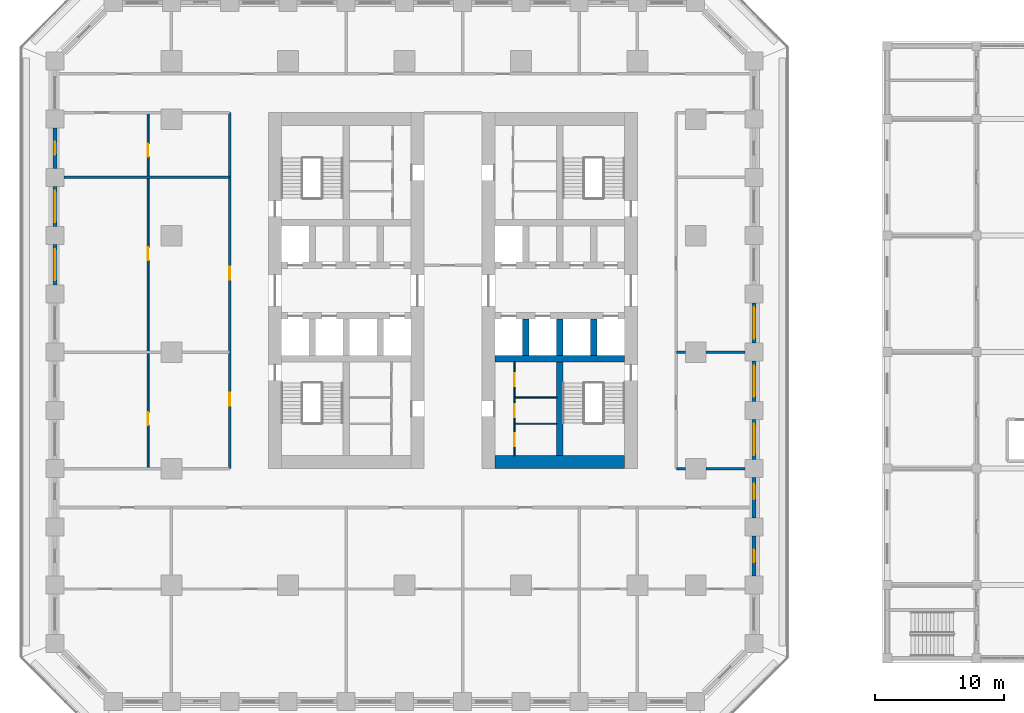
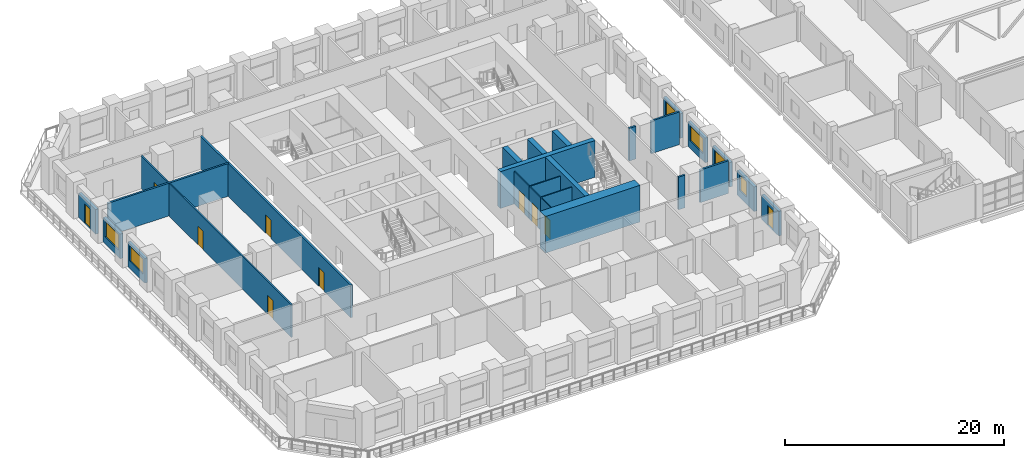
# One storey, part 27 of 42: 26 walls, 10 doors, 6 windows, 16 openings.
"""IFC4 building model written with IfcOpenShell, lengths in metres."""

from ifc_helpers import new_model, si_unit, direction, frame, frame_2d, origin, place, context, subcontext, project, spatial, rectangle, extrude, material, layer, layer_set, type_object, element, fill, save


model = new_model("IFC4")

# Units and contexts
model_context = context("Model", 3, precision=1e-05, world=origin(), true_north=direction((0.0, 1.0)))
body_context = subcontext(model_context, "Body", "Model", "MODEL_VIEW")
ifc_project = project(units=[si_unit("LENGTHUNIT", "METRE"), si_unit("AREAUNIT", "SQUARE_METRE"), si_unit("VOLUMEUNIT", "CUBIC_METRE"), si_unit("PLANEANGLEUNIT", "RADIAN"), si_unit("MASSUNIT", "GRAM", prefix="KILO")], contexts=[model_context])

# Site, building, storey
site_placement = place(None, origin())
site = spatial("IfcSite", under=ifc_project, at=site_placement, CompositionType="ELEMENT")
building_placement = place(site_placement, origin())
building = spatial("IfcBuilding", under=site, at=building_placement, Name="Corbel Stack Research Tower", CompositionType="ELEMENT")
storey_placement = place(building_placement, frame((0.0, 0.0, 11.300048828125)))
storey = spatial("IfcBuildingStorey", under=building, at=storey_placement, Name="L02", CompositionType="ELEMENT", Elevation=11.300048828125)

# Walls
ifc_material_1 = material(Name="Concrete C70/85", Category="concrete")
ifc_layer_1 = layer(ifc_material_1, 1.0)
ifc_layer_set_1 = layer_set([ifc_layer_1], Name="Concrete C70/85")
wall_type_1 = type_object("IfcWallType", Name="CW-1000-70", PredefinedType="SHEAR", material=ifc_layer_set_1)
wall_1_placement = place(storey_placement, frame((7.0, -8.5, 0.0), z_axis=(0.0, 0.0, 1.0), x_axis=(1.0, 0.0, 0.0)))
element("IfcWall", 1, at=wall_1_placement, inside=storey, type_object=wall_type_1, Name="East core wall, south end L02", PredefinedType="SHEAR", context=body_context, shape_type="SweptSolid", body=[
    extrude(rectangle(XDim=10.0, YDim=1.0, at=frame_2d((5.0, 0.0))), origin(), (0.0, 0.0, 1.0), 4.099853515625),
])
ifc_material_2 = material(Name="Concrete C70/85", Category="concrete")
ifc_layer_2 = layer(ifc_material_2, 0.5)
ifc_layer_set_2 = layer_set([ifc_layer_2], Name="Concrete C70/85")
wall_type_2 = type_object("IfcWallType", Name="CW-500-70", PredefinedType="SHEAR", material=ifc_layer_set_2)
wall_2_placement = place(storey_placement, frame((7.0, -0.5, 0.0), z_axis=(0.0, 0.0, 1.0), x_axis=(1.0, 0.0, 0.0)))
element("IfcWall", 2, at=wall_2_placement, inside=storey, type_object=wall_type_2, Name="East core wall, south row back L02", PredefinedType="SHEAR", context=body_context, shape_type="SweptSolid", body=[
    extrude(rectangle(XDim=10.0, YDim=0.5, at=frame_2d((5.0, 0.0))), origin(), (0.0, 0.0, 1.0), 4.099853515625),
])
for number, where, z_axis, x_axis, name in (
    (3, (9.375, -0.25, 0.0), (0.0, 0.0, 1.0), (0.0, 1.0, 0.0), "East core wall, south shaft 1 L02"),
    (4, (12.0, -0.25, 0.0), (0.0, 0.0, 1.0), (0.0, 1.0, 0.0), "East core wall, south shaft 2 L02"),
    (5, (14.625, -0.25, 0.0), (0.0, 0.0, 1.0), (0.0, 1.0, 0.0), "East core wall, south shaft 3 L02"),
):
    element("IfcWall", number, at=place(storey_placement, frame(where, z_axis=z_axis, x_axis=x_axis)), inside=storey, type_object=wall_type_2, Name=name, PredefinedType="SHEAR", context=body_context, shape_type="SweptSolid", body=[
        extrude(rectangle(XDim=2.800048828125, YDim=0.5, at=frame_2d((1.39990234375, 0.0))), origin(), (0.0, 0.0, 1.0), 4.099853515625),
    ])
wall_3_placement = place(storey_placement, frame((12.0, -8.0, 0.0), z_axis=(0.0, 0.0, 1.0), x_axis=(0.0, 1.0, 0.0)))
element("IfcWall", 6, at=wall_3_placement, inside=storey, type_object=wall_type_2, Name="East core wall, south stair and WC L02", PredefinedType="SHEAR", context=body_context, shape_type="SweptSolid", body=[
    extrude(rectangle(XDim=7.25, YDim=0.5, at=frame_2d((3.625, 0.0))), origin(), (0.0, 0.0, 1.0), 4.099853515625),
])

# Wall, opening, door
ifc_material_3 = material(Name="Gypsum board")
ifc_layer_3 = layer(ifc_material_3, 0.10009765625)
ifc_layer_set_3 = layer_set([ifc_layer_3], Name="Gypsum board")
wall_type_3 = type_object("IfcWallType", Name="Core partition 100", PredefinedType="PARTITIONING", material=ifc_layer_set_3)
wall_4_placement = place(storey_placement, frame((8.5, -8.0, 0.0), z_axis=(0.0, 0.0, 1.0), x_axis=(0.0, 1.0, 0.0)))
wall_4 = element("IfcWall", 7, at=wall_4_placement, inside=storey, type_object=wall_type_3, Name="Core partition E", PredefinedType="PARTITIONING", context=body_context, shape_type="SweptSolid", body=[
    extrude(rectangle(XDim=2.465087890625, YDim=0.10009765625, at=frame_2d((1.232421875, 0.0))), origin(), (0.0, 0.0, 1.0), 3.64990234375),
])
opening_1_placement = place(wall_4_placement, frame((0.732421875, 0.0, 0.0)))
opening_1 = element("IfcOpeningElement", 8, at=opening_1_placement, cuts=wall_4, Name="Opening CR-E12-W2-1000", PredefinedType="OPENING", context=body_context, shape_type="SweptSolid", body=[
    extrude(rectangle(XDim=1.0, YDim=2.10009765625, at=frame_2d((0.5, 1.050048828125))), frame((0.0, 0.06005859375, 0.0), z_axis=(0.0, -1.0, 0.0), x_axis=(1.0, 0.0, 0.0)), (0.0, 0.0, 1.0), 0.1201171875),
])
ifc_material_4 = material(Name="Painted timber door", Category="wood")
door_type_1 = type_object("IfcDoorType", Name="WC door 1000 x 2100 left hand", OperationType="SINGLE_SWING_LEFT", PredefinedType="DOOR", material=ifc_material_4)
door_1_placement = place(opening_1_placement, origin())
door_1 = element("IfcDoor", 9, at=door_1_placement, inside=storey, type_object=door_type_1, Name="Men's WC door E core", OperationType="SINGLE_SWING_LEFT", OverallHeight=2.10009765625, OverallWidth=1.0, PredefinedType="DOOR", context=body_context, shape_type="SweptSolid", body=[
    extrude(rectangle(XDim=1.0, YDim=2.10009765625, at=frame_2d((0.5, 1.050048828125))), frame((0.0, 0.02490234375, 0.0), z_axis=(0.0, -1.0, 0.0), x_axis=(1.0, 0.0, 0.0)), (0.0, 0.0, 1.0), 0.050048828125),
])
fill(opening_1, door_1)

wall_5_placement = place(storey_placement, frame((8.5, -5.534912109375, 0.0), z_axis=(0.0, 0.0, 1.0), x_axis=(0.0, 1.0, 0.0)))
wall_5 = element("IfcWall", 10, at=wall_5_placement, inside=storey, type_object=wall_type_3, Name="Core partition E", PredefinedType="PARTITIONING", context=body_context, shape_type="SweptSolid", body=[
    extrude(rectangle(XDim=2.030029296875, YDim=0.10009765625, at=frame_2d((1.01513671875, 0.0))), origin(), (0.0, 0.0, 1.0), 3.64990234375),
])
opening_2_placement = place(wall_5_placement, frame((0.514892578125, 0.0, 0.0)))
opening_2 = element("IfcOpeningElement", 11, at=opening_2_placement, cuts=wall_5, Name="Opening CR-E12-W3-1000", PredefinedType="OPENING", context=body_context, shape_type="SweptSolid", body=[
    extrude(rectangle(XDim=1.0, YDim=2.10009765625, at=frame_2d((0.5, 1.050048828125))), frame((0.0, 0.06005859375, 0.0), z_axis=(0.0, -1.0, 0.0), x_axis=(1.0, 0.0, 0.0)), (0.0, 0.0, 1.0), 0.1201171875),
])
ifc_material_5 = material(Name="Painted timber door", Category="wood")
door_type_2 = type_object("IfcDoorType", Name="WC door 1000 x 2100 right hand", OperationType="SINGLE_SWING_RIGHT", PredefinedType="DOOR", material=ifc_material_5)
door_2_placement = place(opening_2_placement, origin())
door_2 = element("IfcDoor", 12, at=door_2_placement, inside=storey, type_object=door_type_2, Name="Accessible WC door E core", OperationType="SINGLE_SWING_RIGHT", OverallHeight=2.10009765625, OverallWidth=1.0, PredefinedType="DOOR", context=body_context, shape_type="SweptSolid", body=[
    extrude(rectangle(XDim=1.0, YDim=2.10009765625, at=frame_2d((0.5, 1.050048828125))), frame((0.0, 0.02490234375, 0.0), z_axis=(0.0, -1.0, 0.0), x_axis=(1.0, 0.0, 0.0)), (0.0, 0.0, 1.0), 0.050048828125),
])
fill(opening_2, door_2)

wall_6_placement = place(storey_placement, frame((8.5, -3.5048828125, 0.0), z_axis=(0.0, 0.0, 1.0), x_axis=(0.0, 1.0, 0.0)))
wall_6 = element("IfcWall", 13, at=wall_6_placement, inside=storey, type_object=wall_type_3, Name="Core partition E", PredefinedType="PARTITIONING", context=body_context, shape_type="SweptSolid", body=[
    extrude(rectangle(XDim=2.7548828125, YDim=0.10009765625, at=frame_2d((1.37744140625, 0.0))), origin(), (0.0, 0.0, 1.0), 3.64990234375),
])
opening_3_placement = place(wall_6_placement, frame((0.87744140625, 0.0, 0.0)))
opening_3 = element("IfcOpeningElement", 14, at=opening_3_placement, cuts=wall_6, Name="Opening CR-E12-W4-1000", PredefinedType="OPENING", context=body_context, shape_type="SweptSolid", body=[
    extrude(rectangle(XDim=1.0, YDim=2.10009765625, at=frame_2d((0.5, 1.050048828125))), frame((0.0, 0.06005859375, 0.0), z_axis=(0.0, -1.0, 0.0), x_axis=(1.0, 0.0, 0.0)), (0.0, 0.0, 1.0), 0.1201171875),
])
door_3_placement = place(opening_3_placement, origin())
door_3 = element("IfcDoor", 15, at=door_3_placement, inside=storey, type_object=door_type_1, Name="Women's WC door E core", OperationType="SINGLE_SWING_LEFT", OverallHeight=2.10009765625, OverallWidth=1.0, PredefinedType="DOOR", context=body_context, shape_type="SweptSolid", body=[
    extrude(rectangle(XDim=1.0, YDim=2.10009765625, at=frame_2d((0.5, 1.050048828125))), frame((0.0, 0.02490234375, 0.0), z_axis=(0.0, -1.0, 0.0), x_axis=(1.0, 0.0, 0.0)), (0.0, 0.0, 1.0), 0.050048828125),
])
fill(opening_3, door_3)

# Walls
for number, where, z_axis, x_axis, name in (
    (16, (8.5, -5.534912109375, 0.0), (0.0, 0.0, 1.0), (1.0, 0.0, 0.0), "Core partition E"),
    (17, (8.5, -3.5048828125, 0.0), (0.0, 0.0, 1.0), (1.0, 0.0, 0.0), "Core partition E"),
):
    element("IfcWall", number, at=place(storey_placement, frame(where, z_axis=z_axis, x_axis=x_axis)), inside=storey, type_object=wall_type_3, Name=name, PredefinedType="PARTITIONING", context=body_context, shape_type="SweptSolid", body=[
        extrude(rectangle(XDim=3.25, YDim=0.10009765625, at=frame_2d((1.625, 0.0))), origin(), (0.0, 0.0, 1.0), 3.64990234375),
    ])

# Wall, openings, doors
ifc_material_6 = material(Name="Fire-rated gypsum board partition on steel studs", Category="steel")
ifc_layer_4 = layer(ifc_material_6, 0.199951171875)
ifc_layer_set_4 = layer_set([ifc_layer_4], Name="Fire-rated gypsum board partition on steel studs")
wall_type_4 = type_object("IfcWallType", Name="Fire-rated partition 200 EI 60", PredefinedType="PARTITIONING", material=ifc_layer_set_4)
wall_7_placement = place(storey_placement, frame((-13.5, -9.0, 0.0), z_axis=(0.0, 0.0, 1.0), x_axis=(0.0, 1.0, 0.0)))
wall_7 = element("IfcWall", 18, at=wall_7_placement, inside=storey, type_object=wall_type_4, Name="Partition L02-005", PredefinedType="PARTITIONING", context=body_context, shape_type="SweptSolid", body=[
    extrude(rectangle(XDim=27.5, YDim=0.199951171875, at=frame_2d((13.75, 0.0))), origin(), (0.0, 0.0, 1.0), 3.64990234375),
])
opening_4_placement = place(wall_7_placement, frame((4.85009765625, 0.0, 0.0)))
opening_4 = element("IfcOpeningElement", 19, at=opening_4_placement, cuts=wall_7, Name="Opening B1V0-010", PredefinedType="OPENING", context=body_context, shape_type="SweptSolid", body=[
    extrude(rectangle(XDim=1.0, YDim=2.10009765625, at=frame_2d((0.5, 1.050048828125))), frame((0.0, 0.10986328125, 0.0), z_axis=(0.0, -1.0, 0.0), x_axis=(1.0, 0.0, 0.0)), (0.0, 0.0, 1.0), 0.219970703125),
])
opening_5_placement = place(wall_7_placement, frame((14.60009765625, 0.0, 0.0)))
opening_5 = element("IfcOpeningElement", 20, at=opening_5_placement, cuts=wall_7, Name="Opening B1V0-011", PredefinedType="OPENING", context=body_context, shape_type="SweptSolid", body=[
    extrude(rectangle(XDim=1.0, YDim=2.10009765625, at=frame_2d((0.5, 1.050048828125))), frame((0.0, 0.10986328125, 0.0), z_axis=(0.0, -1.0, 0.0), x_axis=(1.0, 0.0, 0.0)), (0.0, 0.0, 1.0), 0.219970703125),
])
ifc_material_7 = material(Name="Painted steel fire door", Category="steel")
door_type_3 = type_object("IfcDoorType", Name="Fire door FD30S 1000 x 2100", OperationType="NOTDEFINED", PredefinedType="DOOR", material=ifc_material_7)
door_4_placement = place(opening_4_placement, origin())
door_4 = element("IfcDoor", 21, at=door_4_placement, inside=storey, type_object=door_type_3, Name="Door B1V0-010", OperationType="SINGLE_SWING_LEFT", OverallHeight=2.10009765625, OverallWidth=1.0, PredefinedType="DOOR", context=body_context, shape_type="SweptSolid", body=[
    extrude(rectangle(XDim=1.0, YDim=2.10009765625, at=frame_2d((0.5, 1.050048828125))), frame((0.0, 0.02490234375, 0.0), z_axis=(0.0, -1.0, 0.0), x_axis=(1.0, 0.0, 0.0)), (0.0, 0.0, 1.0), 0.050048828125),
])
fill(opening_4, door_4)
door_5_placement = place(opening_5_placement, origin())
door_5 = element("IfcDoor", 22, at=door_5_placement, inside=storey, type_object=door_type_3, Name="Door B1V0-011", OperationType="SINGLE_SWING_RIGHT", OverallHeight=2.10009765625, OverallWidth=1.0, PredefinedType="DOOR", context=body_context, shape_type="SweptSolid", body=[
    extrude(rectangle(XDim=1.0, YDim=2.10009765625, at=frame_2d((0.5, 1.050048828125))), frame((0.0, 0.02490234375, 0.0), z_axis=(0.0, -1.0, 0.0), x_axis=(1.0, 0.0, 0.0)), (0.0, 0.0, 1.0), 0.050048828125),
])
fill(opening_5, door_5)

# Walls
wall_8_placement = place(storey_placement, frame((21.0, -9.0, 0.0), z_axis=(0.0, 0.0, 1.0), x_axis=(1.0, 0.0, 0.0)))
element("IfcWall", 23, at=wall_8_placement, inside=storey, type_object=wall_type_4, Name="Partition L02-026", PredefinedType="PARTITIONING", context=body_context, shape_type="SweptSolid", body=[
    extrude(rectangle(XDim=0.699951171875, YDim=0.199951171875, at=frame_2d((0.35009765625, 0.0))), origin(), (0.0, 0.0, 1.0), 3.64990234375),
])
wall_9_placement = place(storey_placement, frame((23.300048828125, -9.0, 0.0), z_axis=(0.0, 0.0, 1.0), x_axis=(1.0, 0.0, 0.0)))
element("IfcWall", 24, at=wall_9_placement, inside=storey, type_object=wall_type_4, Name="Partition L02-027", PredefinedType="PARTITIONING", context=body_context, shape_type="SweptSolid", body=[
    extrude(rectangle(XDim=3.0, YDim=0.199951171875, at=frame_2d((1.5, 0.0))), origin(), (0.0, 0.0, 1.0), 3.64990234375),
])
wall_10_placement = place(storey_placement, frame((21.0, 0.0, 0.0), z_axis=(0.0, 0.0, 1.0), x_axis=(1.0, 0.0, 0.0)))
element("IfcWall", 25, at=wall_10_placement, inside=storey, type_object=wall_type_4, Name="Partition L02-030", PredefinedType="PARTITIONING", context=body_context, shape_type="SweptSolid", body=[
    extrude(rectangle(XDim=0.699951171875, YDim=0.199951171875, at=frame_2d((0.35009765625, 0.0))), origin(), (0.0, 0.0, 1.0), 3.64990234375),
])
wall_11_placement = place(storey_placement, frame((23.300048828125, 0.0, 0.0), z_axis=(0.0, 0.0, 1.0), x_axis=(1.0, 0.0, 0.0)))
element("IfcWall", 26, at=wall_11_placement, inside=storey, type_object=wall_type_4, Name="Partition L02-031", PredefinedType="PARTITIONING", context=body_context, shape_type="SweptSolid", body=[
    extrude(rectangle(XDim=3.0, YDim=0.199951171875, at=frame_2d((1.5, 0.0))), origin(), (0.0, 0.0, 1.0), 3.64990234375),
])
wall_12_placement = place(storey_placement, frame((-26.300048828125, 13.5, 0.0), z_axis=(0.0, 0.0, 1.0), x_axis=(1.0, 0.0, 0.0)))
element("IfcWall", 27, at=wall_12_placement, inside=storey, type_object=wall_type_4, Name="Partition L02-033", PredefinedType="PARTITIONING", context=body_context, shape_type="SweptSolid", body=[
    extrude(rectangle(XDim=12.800048828125, YDim=0.199951171875, at=frame_2d((6.39990234375, 0.0))), origin(), (0.0, 0.0, 1.0), 3.64990234375),
])

# Wall, openings, doors
ifc_material_8 = material(Name="Gypsum board partition on steel studs", Category="steel")
ifc_layer_5 = layer(ifc_material_8, 0.14990234375)
ifc_layer_set_5 = layer_set([ifc_layer_5], Name="Gypsum board partition on steel studs")
wall_type_5 = type_object("IfcWallType", Name="Partition 150", PredefinedType="PARTITIONING", material=ifc_layer_set_5)
wall_13_placement = place(storey_placement, frame((-19.800048828125, -9.0, 0.0), z_axis=(0.0, 0.0, 1.0), x_axis=(0.0, 1.0, 0.0)))
wall_13 = element("IfcWall", 28, at=wall_13_placement, inside=storey, type_object=wall_type_5, Name="Partition L02-001", PredefinedType="PARTITIONING", context=body_context, shape_type="SweptSolid", body=[
    extrude(rectangle(XDim=27.5, YDim=0.14990234375, at=frame_2d((13.75, 0.0))), origin(), (0.0, 0.0, 1.0), 3.64990234375),
])
opening_6_placement = place(wall_13_placement, frame((3.35009765625, 0.0, 0.0)))
opening_6 = element("IfcOpeningElement", 29, at=opening_6_placement, cuts=wall_13, Name="Opening B1V0-001", PredefinedType="OPENING", context=body_context, shape_type="SweptSolid", body=[
    extrude(rectangle(XDim=1.0, YDim=2.10009765625, at=frame_2d((0.5, 1.050048828125))), frame((0.0, 0.0849609375, 0.0), z_axis=(0.0, -1.0, 0.0), x_axis=(1.0, 0.0, 0.0)), (0.0, 0.0, 1.0), 0.169921875),
])
opening_7_placement = place(wall_13_placement, frame((16.10009765625, 0.0, 0.0)))
opening_7 = element("IfcOpeningElement", 30, at=opening_7_placement, cuts=wall_13, Name="Opening B1V0-002", PredefinedType="OPENING", context=body_context, shape_type="SweptSolid", body=[
    extrude(rectangle(XDim=1.0, YDim=2.10009765625, at=frame_2d((0.5, 1.050048828125))), frame((0.0, 0.0849609375, 0.0), z_axis=(0.0, -1.0, 0.0), x_axis=(1.0, 0.0, 0.0)), (0.0, 0.0, 1.0), 0.169921875),
])
opening_8_placement = place(wall_13_placement, frame((24.10009765625, 0.0, 0.0)))
opening_8 = element("IfcOpeningElement", 31, at=opening_8_placement, cuts=wall_13, Name="Opening B1V0-003", PredefinedType="OPENING", context=body_context, shape_type="SweptSolid", body=[
    extrude(rectangle(XDim=1.0, YDim=2.10009765625, at=frame_2d((0.5, 1.050048828125))), frame((0.0, 0.0849609375, 0.0), z_axis=(0.0, -1.0, 0.0), x_axis=(1.0, 0.0, 0.0)), (0.0, 0.0, 1.0), 0.169921875),
])
ifc_material_9 = material(Name="Painted timber door", Category="wood")
door_type_4 = type_object("IfcDoorType", Name="Single door 1000 x 2100", OperationType="NOTDEFINED", PredefinedType="DOOR", material=ifc_material_9)
door_6_placement = place(opening_6_placement, origin())
door_6 = element("IfcDoor", 32, at=door_6_placement, inside=storey, type_object=door_type_4, Name="Door B1V0-001", OperationType="SINGLE_SWING_LEFT", OverallHeight=2.10009765625, OverallWidth=1.0, PredefinedType="DOOR", context=body_context, shape_type="SweptSolid", body=[
    extrude(rectangle(XDim=1.0, YDim=2.10009765625, at=frame_2d((0.5, 1.050048828125))), frame((0.0, 0.02490234375, 0.0), z_axis=(0.0, -1.0, 0.0), x_axis=(1.0, 0.0, 0.0)), (0.0, 0.0, 1.0), 0.050048828125),
])
fill(opening_6, door_6)
door_7_placement = place(opening_7_placement, origin())
door_7 = element("IfcDoor", 33, at=door_7_placement, inside=storey, type_object=door_type_4, Name="Door B1V0-002", OperationType="SINGLE_SWING_RIGHT", OverallHeight=2.10009765625, OverallWidth=1.0, PredefinedType="DOOR", context=body_context, shape_type="SweptSolid", body=[
    extrude(rectangle(XDim=1.0, YDim=2.10009765625, at=frame_2d((0.5, 1.050048828125))), frame((0.0, 0.02490234375, 0.0), z_axis=(0.0, -1.0, 0.0), x_axis=(1.0, 0.0, 0.0)), (0.0, 0.0, 1.0), 0.050048828125),
])
fill(opening_7, door_7)
door_8_placement = place(opening_8_placement, origin())
door_8 = element("IfcDoor", 34, at=door_8_placement, inside=storey, type_object=door_type_4, Name="Door B1V0-003", OperationType="SINGLE_SWING_RIGHT", OverallHeight=2.10009765625, OverallWidth=1.0, PredefinedType="DOOR", context=body_context, shape_type="SweptSolid", body=[
    extrude(rectangle(XDim=1.0, YDim=2.10009765625, at=frame_2d((0.5, 1.050048828125))), frame((0.0, 0.02490234375, 0.0), z_axis=(0.0, -1.0, 0.0), x_axis=(1.0, 0.0, 0.0)), (0.0, 0.0, 1.0), 0.050048828125),
])
fill(opening_8, door_8)

# Wall, opening, door
ifc_material_10 = material(Name="Concrete C45/55", Category="concrete")
ifc_layer_6 = layer(ifc_material_10, 0.300048828125)
ifc_layer_set_6 = layer_set([ifc_layer_6], Name="Concrete C45/55")
wall_type_6 = type_object("IfcWallType", Name="Terracotta-faced concrete wall 300", PredefinedType="SOLIDWALL", material=ifc_layer_set_6)
wall_14_placement = place(storey_placement, frame((27.0, -14.199951171875, 0.0), z_axis=(0.0, 0.0, 1.0), x_axis=(0.0, -1.0, 0.0)))
wall_14 = element("IfcWall", 35, at=wall_14_placement, inside=storey, type_object=wall_type_6, Name="Facade wall L02 E02", PredefinedType="SOLIDWALL", context=body_context, shape_type="SweptSolid", body=[
    extrude(rectangle(XDim=3.10009765625, YDim=0.300048828125, at=frame_2d((1.550048828125, 0.0))), origin(), (0.0, 0.0, 1.0), 2.75),
])
opening_9_placement = place(wall_14_placement, frame((1.050048828125, 0.0, 0.0)))
opening_9 = element("IfcOpeningElement", 36, at=opening_9_placement, cuts=wall_14, Name="Opening L02-B04", PredefinedType="OPENING", context=body_context, shape_type="SweptSolid", body=[
    extrude(rectangle(XDim=1.0, YDim=2.199951171875, at=frame_2d((0.5, 1.10009765625))), frame((0.0, 0.159912109375, 0.0), z_axis=(0.0, -1.0, 0.0), x_axis=(1.0, 0.0, 0.0)), (0.0, 0.0, 1.0), 0.320068359375),
])
ifc_material_11 = material(Name="Aluminium frame, clear double glazing", Category="aluminium")
door_type_5 = type_object("IfcDoorType", Name="Balcony door BD1 1000 x 2200", OperationType="NOTDEFINED", PredefinedType="DOOR", material=ifc_material_11)
door_9_placement = place(opening_9_placement, origin())
door_9 = element("IfcDoor", 37, at=door_9_placement, inside=storey, type_object=door_type_5, Name="Balcony door L02-B04", OperationType="SINGLE_SWING_RIGHT", OverallHeight=2.199951171875, OverallWidth=1.0, PredefinedType="DOOR", context=body_context, shape_type="SweptSolid", body=[
    extrude(rectangle(XDim=1.0, YDim=2.199951171875, at=frame_2d((0.5, 1.10009765625))), frame((0.0, 0.02490234375, 0.0), z_axis=(0.0, -1.0, 0.0), x_axis=(1.0, 0.0, 0.0)), (0.0, 0.0, 1.0), 0.050048828125),
])
fill(opening_9, door_9)

# Wall, opening, window
wall_15_placement = place(storey_placement, frame((27.0, -9.699951171875, 0.0), z_axis=(0.0, 0.0, 1.0), x_axis=(0.0, -1.0, 0.0)))
wall_15 = element("IfcWall", 38, at=wall_15_placement, inside=storey, type_object=wall_type_6, Name="Facade wall L02 E03", PredefinedType="SOLIDWALL", context=body_context, shape_type="SweptSolid", body=[
    extrude(rectangle(XDim=3.10009765625, YDim=0.300048828125, at=frame_2d((1.550048828125, 0.0))), origin(), (0.0, 0.0, 1.0), 2.75),
])
opening_10_placement = place(wall_15_placement, frame((0.47509765625, 0.0, 0.800048828125)))
opening_10 = element("IfcOpeningElement", 39, at=opening_10_placement, cuts=wall_15, Name="Opening W2", PredefinedType="OPENING", context=body_context, shape_type="SweptSolid", body=[
    extrude(rectangle(XDim=1.199951171875, YDim=1.699951171875, at=frame_2d((0.60009765625, 0.85009765625))), frame((0.0, 0.159912109375, 0.0), z_axis=(0.0, -1.0, 0.0), x_axis=(1.0, 0.0, 0.0)), (0.0, 0.0, 1.0), 0.320068359375),
])
ifc_material_12 = material(Name="Aluminium frame, clear double glazing", Category="aluminium")
window_type_1 = type_object("IfcWindowType", Name="Window W2 1200 x 1700", PartitioningType="SINGLE_PANEL", PredefinedType="WINDOW", material=ifc_material_12)
window_1_placement = place(opening_10_placement, origin())
window_1 = element("IfcWindow", 40, at=window_1_placement, inside=storey, type_object=window_type_1, Name="Window W2 L02 E03", OverallHeight=1.699951171875, OverallWidth=1.199951171875, PartitioningType="SINGLE_PANEL", PredefinedType="WINDOW", context=body_context, shape_type="SweptSolid", body=[
    extrude(rectangle(XDim=1.199951171875, YDim=1.699951171875, at=frame_2d((0.60009765625, 0.85009765625))), frame((0.0, 0.030029296875, 0.0), z_axis=(0.0, -1.0, 0.0), x_axis=(1.0, 0.0, 0.0)), (0.0, 0.0, 1.0), 0.06005859375),
])
fill(opening_10, window_1)

wall_16_placement = place(storey_placement, frame((27.0, -5.199951171875, 0.0), z_axis=(0.0, 0.0, 1.0), x_axis=(0.0, -1.0, 0.0)))
wall_16 = element("IfcWall", 41, at=wall_16_placement, inside=storey, type_object=wall_type_6, Name="Facade wall L02 E04", PredefinedType="SOLIDWALL", context=body_context, shape_type="SweptSolid", body=[
    extrude(rectangle(XDim=3.10009765625, YDim=0.300048828125, at=frame_2d((1.550048828125, 0.0))), origin(), (0.0, 0.0, 1.0), 2.75),
])
opening_11_placement = place(wall_16_placement, frame((0.35009765625, 0.0, 0.800048828125)))
opening_11 = element("IfcOpeningElement", 42, at=opening_11_placement, cuts=wall_16, Name="Opening W1", PredefinedType="OPENING", context=body_context, shape_type="SweptSolid", body=[
    extrude(rectangle(XDim=2.39990234375, YDim=1.699951171875, at=frame_2d((1.199951171875, 0.85009765625))), frame((0.0, 0.159912109375, 0.0), z_axis=(0.0, -1.0, 0.0), x_axis=(1.0, 0.0, 0.0)), (0.0, 0.0, 1.0), 0.320068359375),
])
ifc_material_13 = material(Name="Aluminium frame, clear double glazing", Category="aluminium")
window_type_2 = type_object("IfcWindowType", Name="Window W1 2400 x 1700", PartitioningType="SINGLE_PANEL", PredefinedType="WINDOW", material=ifc_material_13)
window_2_placement = place(opening_11_placement, origin())
window_2 = element("IfcWindow", 43, at=window_2_placement, inside=storey, type_object=window_type_2, Name="Window W1 L02 E04", OverallHeight=1.699951171875, OverallWidth=2.39990234375, PartitioningType="SINGLE_PANEL", PredefinedType="WINDOW", context=body_context, shape_type="SweptSolid", body=[
    extrude(rectangle(XDim=2.39990234375, YDim=1.699951171875, at=frame_2d((1.199951171875, 0.85009765625))), frame((0.0, 0.030029296875, 0.0), z_axis=(0.0, -1.0, 0.0), x_axis=(1.0, 0.0, 0.0)), (0.0, 0.0, 1.0), 0.06005859375),
])
fill(opening_11, window_2)

wall_17_placement = place(storey_placement, frame((27.0, -0.699951171875, 0.0), z_axis=(0.0, 0.0, 1.0), x_axis=(0.0, -1.0, 0.0)))
wall_17 = element("IfcWall", 44, at=wall_17_placement, inside=storey, type_object=wall_type_6, Name="Facade wall L02 E05", PredefinedType="SOLIDWALL", context=body_context, shape_type="SweptSolid", body=[
    extrude(rectangle(XDim=3.10009765625, YDim=0.300048828125, at=frame_2d((1.550048828125, 0.0))), origin(), (0.0, 0.0, 1.0), 2.75),
])
opening_12_placement = place(wall_17_placement, frame((0.35009765625, 0.0, 0.800048828125)))
opening_12 = element("IfcOpeningElement", 45, at=opening_12_placement, cuts=wall_17, Name="Opening W1", PredefinedType="OPENING", context=body_context, shape_type="SweptSolid", body=[
    extrude(rectangle(XDim=2.39990234375, YDim=1.699951171875, at=frame_2d((1.199951171875, 0.85009765625))), frame((0.0, 0.159912109375, 0.0), z_axis=(0.0, -1.0, 0.0), x_axis=(1.0, 0.0, 0.0)), (0.0, 0.0, 1.0), 0.320068359375),
])
window_3_placement = place(opening_12_placement, origin())
window_3 = element("IfcWindow", 46, at=window_3_placement, inside=storey, type_object=window_type_2, Name="Window W1 L02 E05", OverallHeight=1.699951171875, OverallWidth=2.39990234375, PartitioningType="SINGLE_PANEL", PredefinedType="WINDOW", context=body_context, shape_type="SweptSolid", body=[
    extrude(rectangle(XDim=2.39990234375, YDim=1.699951171875, at=frame_2d((1.199951171875, 0.85009765625))), frame((0.0, 0.030029296875, 0.0), z_axis=(0.0, -1.0, 0.0), x_axis=(1.0, 0.0, 0.0)), (0.0, 0.0, 1.0), 0.06005859375),
])
fill(opening_12, window_3)

wall_18_placement = place(storey_placement, frame((27.0, 3.800048828125, 0.0), z_axis=(0.0, 0.0, 1.0), x_axis=(0.0, -1.0, 0.0)))
wall_18 = element("IfcWall", 47, at=wall_18_placement, inside=storey, type_object=wall_type_6, Name="Facade wall L02 E06", PredefinedType="SOLIDWALL", context=body_context, shape_type="SweptSolid", body=[
    extrude(rectangle(XDim=3.10009765625, YDim=0.300048828125, at=frame_2d((1.550048828125, 0.0))), origin(), (0.0, 0.0, 1.0), 2.75),
])
opening_13_placement = place(wall_18_placement, frame((0.35009765625, 0.0, 0.800048828125)))
opening_13 = element("IfcOpeningElement", 48, at=opening_13_placement, cuts=wall_18, Name="Opening W1", PredefinedType="OPENING", context=body_context, shape_type="SweptSolid", body=[
    extrude(rectangle(XDim=2.39990234375, YDim=1.699951171875, at=frame_2d((1.199951171875, 0.85009765625))), frame((0.0, 0.159912109375, 0.0), z_axis=(0.0, -1.0, 0.0), x_axis=(1.0, 0.0, 0.0)), (0.0, 0.0, 1.0), 0.320068359375),
])
window_4_placement = place(opening_13_placement, origin())
window_4 = element("IfcWindow", 49, at=window_4_placement, inside=storey, type_object=window_type_2, Name="Window W1 L02 E06", OverallHeight=1.699951171875, OverallWidth=2.39990234375, PartitioningType="SINGLE_PANEL", PredefinedType="WINDOW", context=body_context, shape_type="SweptSolid", body=[
    extrude(rectangle(XDim=2.39990234375, YDim=1.699951171875, at=frame_2d((1.199951171875, 0.85009765625))), frame((0.0, 0.030029296875, 0.0), z_axis=(0.0, -1.0, 0.0), x_axis=(1.0, 0.0, 0.0)), (0.0, 0.0, 1.0), 0.06005859375),
])
fill(opening_13, window_4)

# Wall, opening, door
wall_19_placement = place(storey_placement, frame((-27.0, 14.199951171875, 0.0), z_axis=(0.0, 0.0, 1.0), x_axis=(0.0, 1.0, 0.0)))
wall_19 = element("IfcWall", 50, at=wall_19_placement, inside=storey, type_object=wall_type_6, Name="Facade wall L02 W02", PredefinedType="SOLIDWALL", context=body_context, shape_type="SweptSolid", body=[
    extrude(rectangle(XDim=3.10009765625, YDim=0.300048828125, at=frame_2d((1.550048828125, 0.0))), origin(), (0.0, 0.0, 1.0), 2.75),
])
opening_14_placement = place(wall_19_placement, frame((1.050048828125, 0.0, 0.0)))
opening_14 = element("IfcOpeningElement", 51, at=opening_14_placement, cuts=wall_19, Name="Opening L02-B10", PredefinedType="OPENING", context=body_context, shape_type="SweptSolid", body=[
    extrude(rectangle(XDim=1.0, YDim=2.199951171875, at=frame_2d((0.5, 1.10009765625))), frame((0.0, 0.159912109375, 0.0), z_axis=(0.0, -1.0, 0.0), x_axis=(1.0, 0.0, 0.0)), (0.0, 0.0, 1.0), 0.320068359375),
])
door_10_placement = place(opening_14_placement, origin())
door_10 = element("IfcDoor", 52, at=door_10_placement, inside=storey, type_object=door_type_5, Name="Balcony door L02-B10", OperationType="SINGLE_SWING_RIGHT", OverallHeight=2.199951171875, OverallWidth=1.0, PredefinedType="DOOR", context=body_context, shape_type="SweptSolid", body=[
    extrude(rectangle(XDim=1.0, YDim=2.199951171875, at=frame_2d((0.5, 1.10009765625))), frame((0.0, 0.02490234375, 0.0), z_axis=(0.0, -1.0, 0.0), x_axis=(1.0, 0.0, 0.0)), (0.0, 0.0, 1.0), 0.050048828125),
])
fill(opening_14, door_10)

# Wall, opening, window
wall_20_placement = place(storey_placement, frame((-27.0, 9.699951171875, 0.0), z_axis=(0.0, 0.0, 1.0), x_axis=(0.0, 1.0, 0.0)))
wall_20 = element("IfcWall", 53, at=wall_20_placement, inside=storey, type_object=wall_type_6, Name="Facade wall L02 W03", PredefinedType="SOLIDWALL", context=body_context, shape_type="SweptSolid", body=[
    extrude(rectangle(XDim=3.10009765625, YDim=0.300048828125, at=frame_2d((1.550048828125, 0.0))), origin(), (0.0, 0.0, 1.0), 2.75),
])
opening_15_placement = place(wall_20_placement, frame((0.35009765625, 0.0, 0.800048828125)))
opening_15 = element("IfcOpeningElement", 54, at=opening_15_placement, cuts=wall_20, Name="Opening W1", PredefinedType="OPENING", context=body_context, shape_type="SweptSolid", body=[
    extrude(rectangle(XDim=2.39990234375, YDim=1.699951171875, at=frame_2d((1.199951171875, 0.85009765625))), frame((0.0, 0.159912109375, 0.0), z_axis=(0.0, -1.0, 0.0), x_axis=(1.0, 0.0, 0.0)), (0.0, 0.0, 1.0), 0.320068359375),
])
window_5_placement = place(opening_15_placement, origin())
window_5 = element("IfcWindow", 55, at=window_5_placement, inside=storey, type_object=window_type_2, Name="Window W1 L02 W03", OverallHeight=1.699951171875, OverallWidth=2.39990234375, PartitioningType="SINGLE_PANEL", PredefinedType="WINDOW", context=body_context, shape_type="SweptSolid", body=[
    extrude(rectangle(XDim=2.39990234375, YDim=1.699951171875, at=frame_2d((1.199951171875, 0.85009765625))), frame((0.0, 0.030029296875, 0.0), z_axis=(0.0, -1.0, 0.0), x_axis=(1.0, 0.0, 0.0)), (0.0, 0.0, 1.0), 0.06005859375),
])
fill(opening_15, window_5)

wall_21_placement = place(storey_placement, frame((-27.0, 5.199951171875, 0.0), z_axis=(0.0, 0.0, 1.0), x_axis=(0.0, 1.0, 0.0)))
wall_21 = element("IfcWall", 56, at=wall_21_placement, inside=storey, type_object=wall_type_6, Name="Facade wall L02 W04", PredefinedType="SOLIDWALL", context=body_context, shape_type="SweptSolid", body=[
    extrude(rectangle(XDim=3.10009765625, YDim=0.300048828125, at=frame_2d((1.550048828125, 0.0))), origin(), (0.0, 0.0, 1.0), 2.75),
])
opening_16_placement = place(wall_21_placement, frame((0.35009765625, 0.0, 0.800048828125)))
opening_16 = element("IfcOpeningElement", 57, at=opening_16_placement, cuts=wall_21, Name="Opening W1", PredefinedType="OPENING", context=body_context, shape_type="SweptSolid", body=[
    extrude(rectangle(XDim=2.39990234375, YDim=1.699951171875, at=frame_2d((1.199951171875, 0.85009765625))), frame((0.0, 0.159912109375, 0.0), z_axis=(0.0, -1.0, 0.0), x_axis=(1.0, 0.0, 0.0)), (0.0, 0.0, 1.0), 0.320068359375),
])
window_6_placement = place(opening_16_placement, origin())
window_6 = element("IfcWindow", 58, at=window_6_placement, inside=storey, type_object=window_type_2, Name="Window W1 L02 W04", OverallHeight=1.699951171875, OverallWidth=2.39990234375, PartitioningType="SINGLE_PANEL", PredefinedType="WINDOW", context=body_context, shape_type="SweptSolid", body=[
    extrude(rectangle(XDim=2.39990234375, YDim=1.699951171875, at=frame_2d((1.199951171875, 0.85009765625))), frame((0.0, 0.030029296875, 0.0), z_axis=(0.0, -1.0, 0.0), x_axis=(1.0, 0.0, 0.0)), (0.0, 0.0, 1.0), 0.06005859375),
])
fill(opening_16, window_6)

save(model, "model.ifc")
